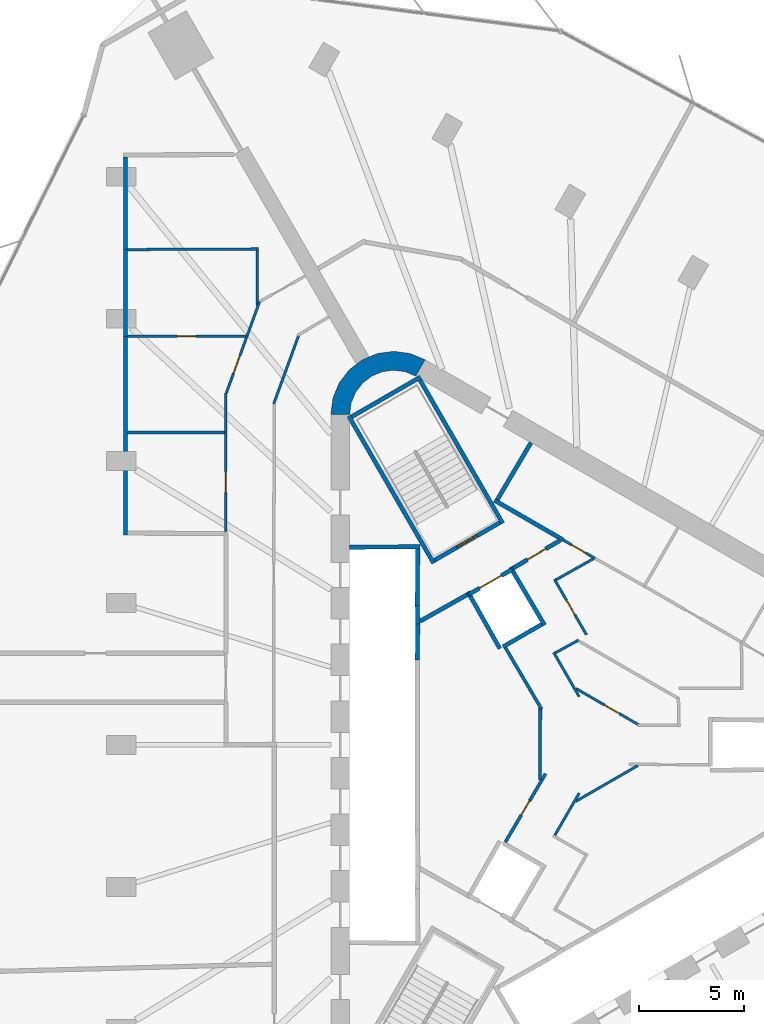
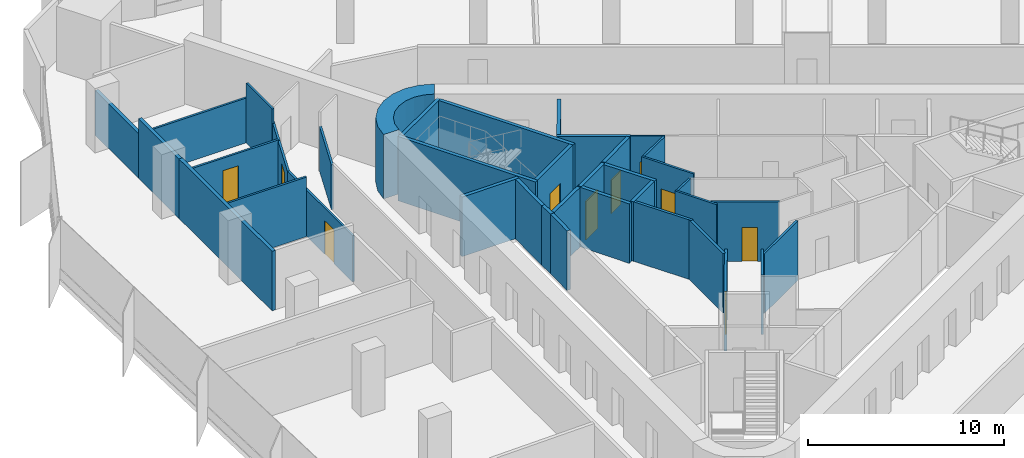
# One storey, part 10 of 14: 39 walls, 10 doors, 10 openings.
"""IFC4 building model written with IfcOpenShell, lengths in metres."""

from ifc_helpers import new_model, si_unit, direction, frame, frame_2d, origin, place, context, subcontext, project, spatial, polyline, rectangle, outline, extrude, material, layer, layer_set, type_object, element, fill, save


model = new_model("IFC4")

# Units and contexts
model_context = context("Model", 3, precision=1e-05, world=origin(), true_north=direction((0.0, 1.0)))
body_context = subcontext(model_context, "Body", "Model", "MODEL_VIEW")
ifc_project = project(units=[si_unit("LENGTHUNIT", "METRE"), si_unit("AREAUNIT", "SQUARE_METRE"), si_unit("VOLUMEUNIT", "CUBIC_METRE"), si_unit("PLANEANGLEUNIT", "RADIAN"), si_unit("MASSUNIT", "GRAM", prefix="KILO")], contexts=[model_context])

# Site, building, storey
site_placement = place(None, origin())
site = spatial("IfcSite", under=ifc_project, at=site_placement, CompositionType="ELEMENT")
building_placement = place(site_placement, origin())
building = spatial("IfcBuilding", under=site, at=building_placement, Name="Tanit Gate Tower", CompositionType="ELEMENT")
storey_placement = place(building_placement, frame((0.0, 0.0, 221.199951171875)))
storey = spatial("IfcBuildingStorey", under=building, at=storey_placement, Name="L49", CompositionType="ELEMENT", Elevation=221.199951171875)

# Walls
ifc_material_1 = material(Name="Concrete C50/60", Category="concrete")
ifc_layer_1 = layer(ifc_material_1, 0.89990234375)
ifc_layer_set_1 = layer_set([ifc_layer_1], Name="CORE WALL 900 C50/60")
wall_type_1 = type_object("IfcWallType", Name="CORE WALL 900 C50/60", PredefinedType="SHEAR", material=ifc_layer_set_1)
wall_1_placement = place(storey_placement, origin())
element("IfcWall", 1, at=wall_1_placement, inside=storey, type_object=wall_type_1, Name="CORE WALL CORNER", PredefinedType="SHEAR", context=body_context, shape_type="SweptSolid", body=[
    extrude(outline(polyline([(-7.60009765625, 18.359619140625), (-8.323486328125, 18.659423828125), (-9.10009765625, 18.76171875), (-9.87646484375, 18.659423828125), (-10.60009765625, 18.359619140625), (-11.22119140625, 17.883056640625), (-11.697998046875, 17.26171875), (-11.997802734375, 16.5380859375), (-12.10009765625, 15.76171875), (-11.199951171875, 15.76171875), (-11.12841796875, 16.30517578125), (-10.918701171875, 16.811767578125), (-10.5849609375, 17.24658203125), (-10.14990234375, 17.580322265625), (-9.6435546875, 17.7900390625), (-9.10009765625, 17.86181640625), (-8.556396484375, 17.7900390625), (-8.050048828125, 17.580322265625), (-7.60009765625, 18.359619140625)])), origin(), (0.0, 0.0, 1.0), 4.0),
])
ifc_material_2 = material(Name="Fire-rated gypsum board partition")
ifc_layer_2 = layer(ifc_material_2, 0.199951171875)
ifc_layer_set_2 = layer_set([ifc_layer_2], Name="INT-WALL-COMPARTMENT")
wall_type_2 = type_object("IfcWallType", Name="INT-WALL-COMPARTMENT", PredefinedType="PARTITIONING", material=ifc_layer_set_2)
wall_2_placement = place(storey_placement, frame((-4.295654296875, 11.659912109375, 0.0), z_axis=(0.0, 0.0, 1.0), x_axis=(0.866027389382, -0.499996560828, 0.0)))
element("IfcWall", 2, at=wall_2_placement, inside=storey, type_object=wall_type_2, Name="Wall Compartment W054", PredefinedType="PARTITIONING", context=body_context, shape_type="SweptSolid", body=[
    extrude(rectangle(XDim=3.77783203125, YDim=0.199951171875, at=frame_2d((1.888916015625, 0.0))), origin(), (0.0, 0.0, 1.0), 3.699951171875),
])
wall_3_placement = place(storey_placement, frame((-2.557861328125, 14.409423828125, 0.0), z_axis=(0.0, 0.0, 1.0), x_axis=(-0.508018930956, -0.861345903683, 0.0)))
element("IfcWall", 3, at=wall_3_placement, inside=storey, type_object=wall_type_2, Name="Wall Compartment W055", PredefinedType="PARTITIONING", context=body_context, shape_type="SweptSolid", body=[
    extrude(rectangle(XDim=3.150146484375, YDim=0.199951171875, at=frame_2d((1.5751953125, 0.0))), origin(), (0.0, 0.0, 1.0), 3.699951171875),
])
wall_4_placement = place(storey_placement, frame((-5.600341796875, 7.16015625, 0.0), z_axis=(0.0, 0.0, 1.0), x_axis=(-0.871340486379, -0.490678873396, 0.0)))
element("IfcWall", 4, at=wall_4_placement, inside=storey, type_object=wall_type_2, Name="Wall Compartment W062", PredefinedType="PARTITIONING", context=body_context, shape_type="SweptSolid", body=[
    extrude(rectangle(XDim=2.580810546875, YDim=0.199951171875, at=frame_2d((1.29052734375, 0.0))), origin(), (0.0, 0.0, 1.0), 3.699951171875),
])

# Wall, opening, door
wall_5_placement = place(storey_placement, frame((-1.1787109375, 9.744873046875, 0.0), z_axis=(0.0, 0.0, 1.0), x_axis=(-0.860630814782, -0.509229418482, 0.0)))
wall_5 = element("IfcWall", 5, at=wall_5_placement, inside=storey, type_object=wall_type_2, Name="Wall Compartment W063", PredefinedType="PARTITIONING", context=body_context, shape_type="SweptSolid", body=[
    extrude(rectangle(XDim=2.581787109375, YDim=0.199951171875, at=frame_2d((1.291015625, 0.0))), origin(), (0.0, 0.0, 1.0), 3.699951171875),
])
opening_1_placement = place(wall_5_placement, frame((0.791015625, 0.0, 0.0)))
opening_1 = element("IfcOpeningElement", 6, at=opening_1_placement, cuts=wall_5, Name="Opening F10-S13-05", PredefinedType="OPENING", context=body_context, shape_type="SweptSolid", body=[
    extrude(rectangle(XDim=1.0, YDim=2.10009765625, at=frame_2d((0.5, 1.050048828125))), frame((0.0, 0.10986328125, 0.0), z_axis=(0.0, -1.0, 0.0), x_axis=(1.0, 0.0, 0.0)), (0.0, 0.0, 1.0), 0.219970703125),
])
ifc_material_3 = material(Name="Fire-rated steel door leaf", Category="steel")
door_type_1 = type_object("IfcDoorType", Name="INT-DOOR-FIRE-1000", OperationType="NOTDEFINED", PredefinedType="USERDEFINED", material=ifc_material_3)
door_1_placement = place(opening_1_placement, origin())
door_1 = element("IfcDoor", 7, at=door_1_placement, inside=storey, type_object=door_type_1, Name="Door F10-S13-05", ObjectType="FIRE DOOR", OperationType="SINGLE_SWING_RIGHT", OverallHeight=2.10009765625, OverallWidth=1.0, PredefinedType="USERDEFINED", context=body_context, shape_type="SweptSolid", body=[
    extrude(rectangle(XDim=1.0, YDim=2.10009765625, at=frame_2d((0.5, 1.050048828125))), frame((0.0, 0.02490234375, 0.0), z_axis=(0.0, -1.0, 0.0), x_axis=(1.0, 0.0, 0.0)), (0.0, 0.0, 1.0), 0.050048828125),
])
fill(opening_1, door_1)

# Walls
wall_6_placement = place(storey_placement, frame((-21.889892578125, 10.0, 0.0), z_axis=(0.0, 0.0, 1.0), x_axis=(0.0, 1.0, 0.0)))
element("IfcWall", 8, at=wall_6_placement, inside=storey, type_object=wall_type_2, Name="Wall Compartment W123", PredefinedType="PARTITIONING", context=body_context, shape_type="SweptSolid", body=[
    extrude(rectangle(XDim=9.478271484375, YDim=0.199951171875, at=frame_2d((4.7392578125, 0.0))), origin(), (0.0, 0.0, 1.0), 3.699951171875),
])
wall_7_placement = place(storey_placement, frame((-21.889892578125, 19.478271484375, 0.0), z_axis=(0.0, 0.0, 1.0), x_axis=(0.0, 1.0, 0.0)))
element("IfcWall", 9, at=wall_7_placement, inside=storey, type_object=wall_type_2, Name="Wall Compartment W126", PredefinedType="PARTITIONING", context=body_context, shape_type="SweptSolid", body=[
    extrude(rectangle(XDim=4.133544921875, YDim=0.199951171875, at=frame_2d((2.06689453125, 0.0))), origin(), (0.0, 0.0, 1.0), 3.699951171875),
])
wall_8_placement = place(storey_placement, frame((-21.889892578125, 23.61181640625, 0.0), z_axis=(0.0, 0.0, 1.0), x_axis=(0.0, 1.0, 0.0)))
element("IfcWall", 10, at=wall_8_placement, inside=storey, type_object=wall_type_2, Name="Wall Compartment W128", PredefinedType="PARTITIONING", context=body_context, shape_type="SweptSolid", body=[
    extrude(rectangle(XDim=4.408203125, YDim=0.199951171875, at=frame_2d((2.2041015625, 0.0))), origin(), (0.0, 0.0, 1.0), 2.780029296875),
])

# Wall, opening, door
ifc_material_4 = material(Name="Gypsum board partition")
ifc_layer_3 = layer(ifc_material_4, 0.1201171875)
ifc_layer_set_3 = layer_set([ifc_layer_3], Name="INT-WALL-PARTITION")
wall_type_3 = type_object("IfcWallType", Name="INT-WALL-PARTITION", PredefinedType="PARTITIONING", material=ifc_layer_set_3)
wall_9_placement = place(storey_placement, frame((-1.02392578125, 9.77099609375, 0.0), z_axis=(0.0, 0.0, 1.0), x_axis=(0.866039397417, -0.499975761534, 0.0)))
wall_9 = element("IfcWall", 11, at=wall_9_placement, inside=storey, type_object=wall_type_3, Name="Wall Partition W057", PredefinedType="PARTITIONING", context=body_context, shape_type="SweptSolid", body=[
    extrude(rectangle(XDim=1.751953125, YDim=0.1201171875, at=frame_2d((0.8759765625, 0.0))), origin(), (0.0, 0.0, 1.0), 3.699951171875),
])
opening_2_placement = place(wall_9_placement, frame((0.4658203125, 0.0, 0.0)))
opening_2 = element("IfcOpeningElement", 12, at=opening_2_placement, cuts=wall_9, Name="Opening R08-S13-16", PredefinedType="OPENING", context=body_context, shape_type="SweptSolid", body=[
    extrude(rectangle(XDim=0.800048828125, YDim=2.10009765625, at=frame_2d((0.39990234375, 1.050048828125))), frame((0.0, 0.070068359375, 0.0), z_axis=(0.0, -1.0, 0.0), x_axis=(1.0, 0.0, 0.0)), (0.0, 0.0, 1.0), 0.14013671875),
])
ifc_material_5 = material(Name="Timber door leaf", Category="wood")
door_type_2 = type_object("IfcDoorType", Name="INT-DOOR-RISER-800", OperationType="NOTDEFINED", PredefinedType="USERDEFINED", material=ifc_material_5)
door_2_placement = place(opening_2_placement, origin())
door_2 = element("IfcDoor", 13, at=door_2_placement, inside=storey, type_object=door_type_2, Name="Door R08-S13-16", ObjectType="FIRE DOOR", OperationType="SINGLE_SWING_LEFT", OverallHeight=2.10009765625, OverallWidth=0.800048828125, PredefinedType="USERDEFINED", context=body_context, shape_type="SweptSolid", body=[
    extrude(rectangle(XDim=0.800048828125, YDim=2.10009765625, at=frame_2d((0.39990234375, 1.050048828125))), frame((0.0, 0.02490234375, 0.0), z_axis=(0.0, -1.0, 0.0), x_axis=(1.0, 0.0, 0.0)), (0.0, 0.0, 1.0), 0.050048828125),
])
fill(opening_2, door_2)

# Walls
wall_10_placement = place(storey_placement, frame((-0.259765625, -2.300048828125, 0.0), z_axis=(0.0, 0.0, 1.0), x_axis=(-0.500035443578, -0.866004939458, 0.0)))
element("IfcWall", 14, at=wall_10_placement, inside=storey, type_object=wall_type_3, Name="Wall Partition W072", PredefinedType="PARTITIONING", context=body_context, shape_type="SweptSolid", body=[
    extrude(rectangle(XDim=2.318115234375, YDim=0.1201171875, at=frame_2d((1.1591796875, 0.0))), origin(), (0.0, 0.0, 1.0), 3.699951171875),
])
wall_11_placement = place(storey_placement, frame((2.531982421875, -0.988037109375, 0.0), z_axis=(0.0, 0.0, 1.0), x_axis=(-0.866023141178, -0.500003918929, 0.0)))
element("IfcWall", 15, at=wall_11_placement, inside=storey, type_object=wall_type_3, Name="Wall Partition W073", PredefinedType="PARTITIONING", context=body_context, shape_type="SweptSolid", body=[
    extrude(rectangle(XDim=3.40380859375, YDim=0.1201171875, at=frame_2d((1.701904296875, 0.0))), origin(), (0.0, 0.0, 1.0), 3.699951171875),
])

# Wall, opening, door
wall_12_placement = place(storey_placement, frame((-0.416259765625, 2.69091796875, 0.0), z_axis=(0.0, 0.0, 1.0), x_axis=(0.865413570885, -0.501058231473, 0.0)))
wall_12 = element("IfcWall", 16, at=wall_12_placement, inside=storey, type_object=wall_type_3, Name="Wall Partition W078", PredefinedType="PARTITIONING", context=body_context, shape_type="SweptSolid", body=[
    extrude(rectangle(XDim=3.505859375, YDim=0.1201171875, at=frame_2d((1.7529296875, 0.0))), origin(), (0.0, 0.0, 1.0), 3.699951171875),
])
opening_3_placement = place(wall_12_placement, frame((1.593505859375, 0.0, 0.0)))
opening_3 = element("IfcOpeningElement", 17, at=opening_3_placement, cuts=wall_12, Name="Opening R08-S13-12", PredefinedType="OPENING", context=body_context, shape_type="SweptSolid", body=[
    extrude(rectangle(XDim=0.800048828125, YDim=2.10009765625, at=frame_2d((0.39990234375, 1.050048828125))), frame((0.0, 0.070068359375, 0.0), z_axis=(0.0, -1.0, 0.0), x_axis=(1.0, 0.0, 0.0)), (0.0, 0.0, 1.0), 0.14013671875),
])
door_3_placement = place(opening_3_placement, origin())
door_3 = element("IfcDoor", 18, at=door_3_placement, inside=storey, type_object=door_type_2, Name="Door R08-S13-12", ObjectType="FIRE DOOR", OperationType="SINGLE_SWING_RIGHT", OverallHeight=2.10009765625, OverallWidth=0.800048828125, PredefinedType="USERDEFINED", context=body_context, shape_type="SweptSolid", body=[
    extrude(rectangle(XDim=0.800048828125, YDim=2.10009765625, at=frame_2d((0.39990234375, 1.050048828125))), frame((0.0, 0.02490234375, 0.0), z_axis=(0.0, -1.0, 0.0), x_axis=(1.0, 0.0, 0.0)), (0.0, 0.0, 1.0), 0.050048828125),
])
fill(opening_3, door_3)

# Walls
wall_13_placement = place(storey_placement, frame((-1.47900390625, 4.41162109375, 0.0), z_axis=(0.0, 0.0, 1.0), x_axis=(0.50003736129, -0.866003832159, 0.0)))
element("IfcWall", 19, at=wall_13_placement, inside=storey, type_object=wall_type_3, Name="Wall Partition W079", PredefinedType="PARTITIONING", context=body_context, shape_type="SweptSolid", body=[
    extrude(rectangle(XDim=2.438232421875, YDim=0.1201171875, at=frame_2d((1.21923828125, 0.0))), origin(), (0.0, 0.0, 1.0), 3.699951171875),
])
wall_14_placement = place(storey_placement, frame((-0.295166015625, 4.99169921875, 0.0), z_axis=(0.0, 0.0, 1.0), x_axis=(-0.87699482268, -0.480499824134, 0.0)))
element("IfcWall", 20, at=wall_14_placement, inside=storey, type_object=wall_type_3, Name="Wall Partition W080", PredefinedType="PARTITIONING", context=body_context, shape_type="SweptSolid", body=[
    extrude(rectangle(XDim=1.255615234375, YDim=0.1201171875, at=frame_2d((0.6279296875, 0.0))), origin(), (0.0, 0.0, 1.0), 3.699951171875),
])

# Wall, opening, door
wall_15_placement = place(storey_placement, frame((-1.441650390625, 7.897216796875, 0.0), z_axis=(0.0, 0.0, 1.0), x_axis=(0.499991792115, -0.866030142557, 0.0)))
wall_15 = element("IfcWall", 21, at=wall_15_placement, inside=storey, type_object=wall_type_3, Name="Wall Partition W081", PredefinedType="PARTITIONING", context=body_context, shape_type="SweptSolid", body=[
    extrude(rectangle(XDim=3.06005859375, YDim=0.1201171875, at=frame_2d((1.530029296875, 0.0))), origin(), (0.0, 0.0, 1.0), 3.699951171875),
])
opening_4_placement = place(wall_15_placement, frame((1.159912109375, 0.0, 0.0)))
opening_4 = element("IfcOpeningElement", 22, at=opening_4_placement, cuts=wall_15, Name="Opening R08-S13-13", PredefinedType="OPENING", context=body_context, shape_type="SweptSolid", body=[
    extrude(rectangle(XDim=0.800048828125, YDim=2.10009765625, at=frame_2d((0.39990234375, 1.050048828125))), frame((0.0, 0.070068359375, 0.0), z_axis=(0.0, -1.0, 0.0), x_axis=(1.0, 0.0, 0.0)), (0.0, 0.0, 1.0), 0.14013671875),
])
door_4_placement = place(opening_4_placement, origin())
door_4 = element("IfcDoor", 23, at=door_4_placement, inside=storey, type_object=door_type_2, Name="Door R08-S13-13", ObjectType="FIRE DOOR", OperationType="SINGLE_SWING_RIGHT", OverallHeight=2.10009765625, OverallWidth=0.800048828125, PredefinedType="USERDEFINED", context=body_context, shape_type="SweptSolid", body=[
    extrude(rectangle(XDim=0.800048828125, YDim=2.10009765625, at=frame_2d((0.39990234375, 1.050048828125))), frame((0.0, 0.02490234375, 0.0), z_axis=(0.0, -1.0, 0.0), x_axis=(1.0, 0.0, 0.0)), (0.0, 0.0, 1.0), 0.050048828125),
])
fill(opening_4, door_4)

# Walls
wall_16_placement = place(storey_placement, frame((0.414306640625, 8.87109375, 0.0), z_axis=(0.0, 0.0, 1.0), x_axis=(-0.871809386997, -0.48984527429, 0.0)))
element("IfcWall", 24, at=wall_16_placement, inside=storey, type_object=wall_type_3, Name="Wall Partition W082", PredefinedType="PARTITIONING", context=body_context, shape_type="SweptSolid", body=[
    extrude(rectangle(XDim=2.034423828125, YDim=0.1201171875, at=frame_2d((1.01708984375, 0.0))), origin(), (0.0, 0.0, 1.0), 3.699951171875),
])
wall_17_placement = place(storey_placement, frame((-13.630615234375, 19.529541015625, 0.0), z_axis=(0.0, 0.0, 1.0), x_axis=(-0.342069878069, -0.939674517329, 0.0)))
element("IfcWall", 25, at=wall_17_placement, inside=storey, type_object=wall_type_3, Name="Wall Partition W086", PredefinedType="PARTITIONING", context=body_context, shape_type="SweptSolid", body=[
    extrude(rectangle(XDim=3.478759765625, YDim=0.1201171875, at=frame_2d((1.7392578125, 0.0))), origin(), (0.0, 0.0, 1.0), 2.780029296875),
])

# Wall, opening, door
wall_18_placement = place(storey_placement, frame((-17.10009765625, 16.78271484375, 0.0), z_axis=(0.0, 0.0, 1.0), x_axis=(0.0, -1.0, 0.0)))
wall_18 = element("IfcWall", 26, at=wall_18_placement, inside=storey, type_object=wall_type_3, Name="Wall Partition W093", PredefinedType="PARTITIONING", context=body_context, shape_type="SweptSolid", body=[
    extrude(rectangle(XDim=6.61279296875, YDim=0.1201171875, at=frame_2d((3.306396484375, 0.0))), origin(), (0.0, 0.0, 1.0), 2.880126953125),
])
opening_5_placement = place(wall_18_placement, frame((3.75146484375, 0.0, 0.0)))
opening_5 = element("IfcOpeningElement", 27, at=opening_5_placement, cuts=wall_18, Name="Opening D10-S13-22", PredefinedType="OPENING", context=body_context, shape_type="SweptSolid", body=[
    extrude(rectangle(XDim=1.0, YDim=2.10009765625, at=frame_2d((0.5, 1.050048828125))), frame((0.0, 0.070068359375, 0.0), z_axis=(0.0, -1.0, 0.0), x_axis=(1.0, 0.0, 0.0)), (0.0, 0.0, 1.0), 0.14013671875),
])
ifc_material_6 = material(Name="Timber door leaf", Category="wood")
door_type_3 = type_object("IfcDoorType", Name="INT-DOOR-SINGLE-1000", OperationType="NOTDEFINED", PredefinedType="NOTDEFINED", material=ifc_material_6)
door_5_placement = place(opening_5_placement, origin())
door_5 = element("IfcDoor", 28, at=door_5_placement, inside=storey, type_object=door_type_3, Name="Door D10-S13-22", OperationType="SINGLE_SWING_LEFT", OverallHeight=2.10009765625, OverallWidth=1.0, PredefinedType="NOTDEFINED", context=body_context, shape_type="SweptSolid", body=[
    extrude(rectangle(XDim=1.0, YDim=2.10009765625, at=frame_2d((0.5, 1.050048828125))), frame((0.0, 0.02490234375, 0.0), z_axis=(0.0, -1.0, 0.0), x_axis=(1.0, 0.0, 0.0)), (0.0, 0.0, 1.0), 0.050048828125),
])
fill(opening_5, door_5)

# Wall
wall_19_placement = place(storey_placement, frame((-15.496337890625, 21.12890625, 0.0), z_axis=(0.0, 0.0, 1.0), x_axis=(-0.342023613346, -0.939691357795, 0.0)))
element("IfcWall", 29, at=wall_19_placement, inside=storey, type_object=wall_type_3, Name="Wall Partition W095", PredefinedType="PARTITIONING", context=body_context, shape_type="SweptSolid", body=[
    extrude(rectangle(XDim=1.74658203125, YDim=0.1201171875, at=frame_2d((0.873291015625, 0.0))), origin(), (0.0, 0.0, 1.0), 2.780029296875),
])

# Wall, opening, door
wall_20_placement = place(storey_placement, frame((-16.09375, 19.487548828125, 0.0), z_axis=(0.0, 0.0, 1.0), x_axis=(-0.342028686382, -0.939689511324, 0.0)))
wall_20 = element("IfcWall", 30, at=wall_20_placement, inside=storey, type_object=wall_type_3, Name="Wall Partition W094", PredefinedType="PARTITIONING", context=body_context, shape_type="SweptSolid", body=[
    extrude(rectangle(XDim=2.88232421875, YDim=0.1201171875, at=frame_2d((1.441162109375, 0.0))), origin(), (0.0, 0.0, 1.0), 2.780029296875),
])
opening_6_placement = place(wall_20_placement, frame((0.9912109375, 0.0, 0.0)))
opening_6 = element("IfcOpeningElement", 31, at=opening_6_placement, cuts=wall_20, Name="Opening D09-S13-23", PredefinedType="OPENING", context=body_context, shape_type="SweptSolid", body=[
    extrude(rectangle(XDim=0.89990234375, YDim=2.10009765625, at=frame_2d((0.449951171875, 1.050048828125))), frame((0.0, 0.070068359375, 0.0), z_axis=(0.0, -1.0, 0.0), x_axis=(1.0, 0.0, 0.0)), (0.0, 0.0, 1.0), 0.14013671875),
])
ifc_material_7 = material(Name="Timber door leaf", Category="wood")
door_type_4 = type_object("IfcDoorType", Name="INT-DOOR-SINGLE-900", OperationType="NOTDEFINED", PredefinedType="NOTDEFINED", material=ifc_material_7)
door_6_placement = place(opening_6_placement, origin())
door_6 = element("IfcDoor", 32, at=door_6_placement, inside=storey, type_object=door_type_4, Name="Door D09-S13-23", OperationType="SINGLE_SWING_LEFT", OverallHeight=2.10009765625, OverallWidth=0.89990234375, PredefinedType="NOTDEFINED", context=body_context, shape_type="SweptSolid", body=[
    extrude(rectangle(XDim=0.89990234375, YDim=2.10009765625, at=frame_2d((0.449951171875, 1.050048828125))), frame((0.0, 0.02490234375, 0.0), z_axis=(0.0, -1.0, 0.0), x_axis=(1.0, 0.0, 0.0)), (0.0, 0.0, 1.0), 0.050048828125),
])
fill(opening_6, door_6)

# Wall
wall_21_placement = place(storey_placement, frame((-21.7900390625, 14.892333984375, 0.0), z_axis=(0.0, 0.0, 1.0), x_axis=(1.0, 0.0, 0.0)))
element("IfcWall", 33, at=wall_21_placement, inside=storey, type_object=wall_type_3, Name="Wall Partition W136", PredefinedType="PARTITIONING", context=body_context, shape_type="SweptSolid", body=[
    extrude(rectangle(XDim=4.630126953125, YDim=0.1201171875, at=frame_2d((2.31494140625, 0.0))), origin(), (0.0, 0.0, 1.0), 3.699951171875),
])

# Wall, opening, door
wall_22_placement = place(storey_placement, frame((-21.7900390625, 19.478271484375, 0.0), z_axis=(0.0, 0.0, 1.0), x_axis=(1.0, 0.0, 0.0)))
wall_22 = element("IfcWall", 34, at=wall_22_placement, inside=storey, type_object=wall_type_3, Name="Wall Partition W137", PredefinedType="PARTITIONING", context=body_context, shape_type="SweptSolid", body=[
    extrude(rectangle(XDim=5.629150390625, YDim=0.1201171875, at=frame_2d((2.814453125, 0.0))), origin(), (0.0, 0.0, 1.0), 2.880126953125),
])
opening_7_placement = place(wall_22_placement, frame((2.364501953125, 0.0, 0.0)))
opening_7 = element("IfcOpeningElement", 35, at=opening_7_placement, cuts=wall_22, Name="Opening D09-S13-24", PredefinedType="OPENING", context=body_context, shape_type="SweptSolid", body=[
    extrude(rectangle(XDim=0.89990234375, YDim=2.10009765625, at=frame_2d((0.449951171875, 1.050048828125))), frame((0.0, 0.070068359375, 0.0), z_axis=(0.0, -1.0, 0.0), x_axis=(1.0, 0.0, 0.0)), (0.0, 0.0, 1.0), 0.14013671875),
])
door_7_placement = place(opening_7_placement, origin())
door_7 = element("IfcDoor", 36, at=door_7_placement, inside=storey, type_object=door_type_4, Name="Door D09-S13-24", OperationType="SINGLE_SWING_LEFT", OverallHeight=2.10009765625, OverallWidth=0.89990234375, PredefinedType="NOTDEFINED", context=body_context, shape_type="SweptSolid", body=[
    extrude(rectangle(XDim=0.89990234375, YDim=2.10009765625, at=frame_2d((0.449951171875, 1.050048828125))), frame((0.0, 0.02490234375, 0.0), z_axis=(0.0, -1.0, 0.0), x_axis=(1.0, 0.0, 0.0)), (0.0, 0.0, 1.0), 0.050048828125),
])
fill(opening_7, door_7)

# Walls
wall_23_placement = place(storey_placement, frame((-21.7900390625, 23.6123046875, 0.0), z_axis=(0.0, 0.0, 1.0), x_axis=(0.999988644603, 0.004765570884, 0.0)))
element("IfcWall", 37, at=wall_23_placement, inside=storey, type_object=wall_type_3, Name="Wall Partition W138", PredefinedType="PARTITIONING", context=body_context, shape_type="SweptSolid", body=[
    extrude(rectangle(XDim=6.25, YDim=0.1201171875, at=frame_2d((3.125, 0.0))), origin(), (0.0, 0.0, 1.0), 2.780029296875),
])
wall_24_placement = place(storey_placement, frame((-15.60498046875, 20.93896484375, 0.0), z_axis=(0.0, 0.0, 1.0), x_axis=(0.001847571904, 0.999998293238, 0.0)))
element("IfcWall", 38, at=wall_24_placement, inside=storey, type_object=wall_type_3, Name="Wall Partition W139", PredefinedType="PARTITIONING", context=body_context, shape_type="SweptSolid", body=[
    extrude(rectangle(XDim=2.642822265625, YDim=0.1201171875, at=frame_2d((1.3212890625, 0.0))), origin(), (0.0, 0.0, 1.0), 3.699951171875),
])
ifc_material_8 = material(Name="Fire-rated gypsum board partition")
ifc_layer_4 = layer(ifc_material_8, 0.14990234375)
ifc_layer_set_4 = layer_set([ifc_layer_4], Name="INT-WALL-RISER")
wall_type_4 = type_object("IfcWallType", Name="INT-WALL-RISER", PredefinedType="PLUMBINGWALL", material=ifc_layer_set_4)
wall_25_placement = place(storey_placement, frame((-2.053466796875, 1.708984375, 0.0), z_axis=(0.0, 0.0, 1.0), x_axis=(-0.507570243425, 0.861610380618, 0.0)))
element("IfcWall", 39, at=wall_25_placement, inside=storey, type_object=wall_type_4, Name="Wall Riser W066", PredefinedType="PLUMBINGWALL", context=body_context, shape_type="SweptSolid", body=[
    extrude(rectangle(XDim=3.3935546875, YDim=0.14990234375, at=frame_2d((1.69677734375, 0.0))), origin(), (0.0, 0.0, 1.0), 3.699951171875),
])
wall_26_placement = place(storey_placement, frame((-2.122314453125, -1.670166015625, 0.0), z_axis=(0.0, 0.0, 1.0), x_axis=(0.00126831916, 0.999999195683, 0.0)))
element("IfcWall", 40, at=wall_26_placement, inside=storey, type_object=wall_type_4, Name="Wall Riser W067", PredefinedType="PLUMBINGWALL", context=body_context, shape_type="SweptSolid", body=[
    extrude(rectangle(XDim=3.46484375, YDim=0.14990234375, at=frame_2d((1.732421875, 0.0))), origin(), (0.0, 0.0, 1.0), 3.699951171875),
])

# Wall, opening, door
wall_27_placement = place(storey_placement, frame((-3.77587890625, -4.632568359375, 0.0), z_axis=(0.0, 0.0, 1.0), x_axis=(0.506548448152, 0.862211499387, 0.0)))
wall_27 = element("IfcWall", 41, at=wall_27_placement, inside=storey, type_object=wall_type_4, Name="Wall Riser W068", PredefinedType="PLUMBINGWALL", context=body_context, shape_type="SweptSolid", body=[
    extrude(rectangle(XDim=3.778076171875, YDim=0.14990234375, at=frame_2d((1.88916015625, 0.0))), origin(), (0.0, 0.0, 1.0), 3.699951171875),
])
opening_8_placement = place(wall_27_placement, frame((1.4892578125, 0.0, 0.0)))
opening_8 = element("IfcOpeningElement", 42, at=opening_8_placement, cuts=wall_27, Name="Opening R08-S13-10", PredefinedType="OPENING", context=body_context, shape_type="SweptSolid", body=[
    extrude(rectangle(XDim=0.800048828125, YDim=2.10009765625, at=frame_2d((0.39990234375, 1.050048828125))), frame((0.0, 0.0849609375, 0.0), z_axis=(0.0, -1.0, 0.0), x_axis=(1.0, 0.0, 0.0)), (0.0, 0.0, 1.0), 0.169921875),
])
door_8_placement = place(opening_8_placement, origin())
door_8 = element("IfcDoor", 43, at=door_8_placement, inside=storey, type_object=door_type_2, Name="Door R08-S13-10", ObjectType="FIRE DOOR", OperationType="SINGLE_SWING_RIGHT", OverallHeight=2.10009765625, OverallWidth=0.800048828125, PredefinedType="USERDEFINED", context=body_context, shape_type="SweptSolid", body=[
    extrude(rectangle(XDim=0.800048828125, YDim=2.10009765625, at=frame_2d((0.39990234375, 1.050048828125))), frame((0.0, 0.02490234375, 0.0), z_axis=(0.0, -1.0, 0.0), x_axis=(1.0, 0.0, 0.0)), (0.0, 0.0, 1.0), 0.050048828125),
])
fill(opening_8, door_8)

# Walls
ifc_material_9 = material(Name="Gypsum shaft wall system")
ifc_layer_5 = layer(ifc_material_9, 0.199951171875)
ifc_layer_set_5 = layer_set([ifc_layer_5], Name="INT-WALL-SHAFT")
wall_type_5 = type_object("IfcWallType", Name="INT-WALL-SHAFT", PredefinedType="PLUMBINGWALL", material=ifc_layer_set_5)
wall_28_placement = place(storey_placement, frame((-11.199951171875, 9.419921875, 0.0), z_axis=(0.0, 0.0, 1.0), x_axis=(0.999957167047, 0.009255488683, 0.0)))
element("IfcWall", 44, at=wall_28_placement, inside=storey, type_object=wall_type_5, Name="Wall Shaft W001", PredefinedType="PLUMBINGWALL", context=body_context, shape_type="SweptSolid", body=[
    extrude(rectangle(XDim=3.35009765625, YDim=0.199951171875, at=frame_2d((1.675048828125, 0.0))), origin(), (0.0, 0.0, 1.0), 3.699951171875),
])
wall_29_placement = place(storey_placement, frame((-7.951171875, 9.35009765625, 0.0), z_axis=(0.0, 0.0, 1.0), x_axis=(-0.011120469654, -0.999938165666, 0.0)))
element("IfcWall", 45, at=wall_29_placement, inside=storey, type_object=wall_type_5, Name="Wall Shaft W002", PredefinedType="PLUMBINGWALL", context=body_context, shape_type="SweptSolid", body=[
    extrude(rectangle(XDim=2.700439453125, YDim=0.199951171875, at=frame_2d((1.35009765625, 0.0))), origin(), (0.0, 0.0, 1.0), 3.699951171875),
])
wall_30_placement = place(storey_placement, frame((-7.97705078125, 6.650146484375, 0.0), z_axis=(0.0, 0.0, 1.0), x_axis=(0.030861509705, -0.999523670164, 0.0)))
element("IfcWall", 46, at=wall_30_placement, inside=storey, type_object=wall_type_5, Name="Wall Shaft W003", PredefinedType="PLUMBINGWALL", context=body_context, shape_type="SweptSolid", body=[
    extrude(rectangle(XDim=0.878173828125, YDim=0.199951171875, at=frame_2d((0.43896484375, 0.0))), origin(), (0.0, 0.0, 1.0), 3.699951171875),
])
wall_31_placement = place(storey_placement, frame((-7.948974609375, 5.894287109375, 0.0), z_axis=(0.0, 0.0, 1.0), x_axis=(-0.016809909365, -0.999858703491, 0.0)))
element("IfcWall", 47, at=wall_31_placement, inside=storey, type_object=wall_type_5, Name="Wall Shaft W004", PredefinedType="PLUMBINGWALL", context=body_context, shape_type="SweptSolid", body=[
    extrude(rectangle(XDim=1.844482421875, YDim=0.199951171875, at=frame_2d((0.92236328125, 0.0))), origin(), (0.0, 0.0, 1.0), 3.699951171875),
])

# Wall, opening, door
wall_32_placement = place(storey_placement, frame((-5.524169921875, 7.168212890625, 0.0), z_axis=(0.0, 0.0, 1.0), x_axis=(0.866024647952, 0.500001309137, 0.0)))
wall_32 = element("IfcWall", 48, at=wall_32_placement, inside=storey, type_object=wall_type_5, Name="Wall Shaft W037", PredefinedType="PLUMBINGWALL", context=body_context, shape_type="SweptSolid", body=[
    extrude(rectangle(XDim=2.39990234375, YDim=0.199951171875, at=frame_2d((1.199951171875, 0.0))), origin(), (0.0, 0.0, 1.0), 3.699951171875),
])
opening_9_placement = place(wall_32_placement, frame((0.60009765625, 0.0, 0.0)))
opening_9 = element("IfcOpeningElement", 49, at=opening_9_placement, cuts=wall_32, Name="Opening LDFL2-L49", PredefinedType="OPENING", context=body_context, shape_type="SweptSolid", body=[
    extrude(rectangle(XDim=1.199951171875, YDim=2.39990234375, at=frame_2d((0.60009765625, 1.199951171875))), frame((0.0, 0.10986328125, 0.0), z_axis=(0.0, -1.0, 0.0), x_axis=(1.0, 0.0, 0.0)), (0.0, 0.0, 1.0), 0.219970703125),
])
ifc_material_10 = material(Name="Stainless steel sliding door leaf", Category="steel")
door_type_5 = type_object("IfcDoorType", Name="INT-DOOR-LANDING-1200", OperationType="NOTDEFINED", PredefinedType="USERDEFINED", material=ifc_material_10)
door_9_placement = place(opening_9_placement, origin())
door_9 = element("IfcDoor", 50, at=door_9_placement, inside=storey, type_object=door_type_5, Name="Door LDFL2-L49", ObjectType="LANDING DOOR", OperationType="SLIDING_TO_LEFT", OverallHeight=2.39990234375, OverallWidth=1.199951171875, PredefinedType="USERDEFINED", context=body_context, shape_type="SweptSolid", body=[
    extrude(rectangle(XDim=1.199951171875, YDim=2.39990234375, at=frame_2d((0.60009765625, 1.199951171875))), frame((0.0, 0.02490234375, 0.0), z_axis=(0.0, -1.0, 0.0), x_axis=(1.0, 0.0, 0.0)), (0.0, 0.0, 1.0), 0.050048828125),
])
fill(opening_9, door_9)

# Walls
wall_33_placement = place(storey_placement, frame((-4.039306640625, 4.59619140625, 0.0), z_axis=(0.0, 0.0, 1.0), x_axis=(-0.491322718731, 0.870977603649, 0.0)))
element("IfcWall", 51, at=wall_33_placement, inside=storey, type_object=wall_type_5, Name="Wall Shaft W038", PredefinedType="PLUMBINGWALL", context=body_context, shape_type="SweptSolid", body=[
    extrude(rectangle(XDim=3.10009765625, YDim=0.199951171875, at=frame_2d((1.550048828125, 0.0))), origin(), (0.0, 0.0, 1.0), 3.699951171875),
])
wall_34_placement = place(storey_placement, frame((-3.53759765625, 8.46533203125, 0.0), z_axis=(0.0, 0.0, 1.0), x_axis=(0.508616218331, -0.860993346345, 0.0)))
element("IfcWall", 52, at=wall_34_placement, inside=storey, type_object=wall_type_5, Name="Wall Shaft W039", PredefinedType="PLUMBINGWALL", context=body_context, shape_type="SweptSolid", body=[
    extrude(rectangle(XDim=3.2001953125, YDim=0.199951171875, at=frame_2d((1.60009765625, 0.0))), origin(), (0.0, 0.0, 1.0), 3.699951171875),
])
wall_35_placement = place(storey_placement, frame((-2.04736328125, 5.74609375, 0.0), z_axis=(0.0, 0.0, 1.0), x_axis=(-0.866040491692, -0.499973866067, 0.0)))
element("IfcWall", 53, at=wall_35_placement, inside=storey, type_object=wall_type_5, Name="Wall Shaft W040", PredefinedType="PLUMBINGWALL", context=body_context, shape_type="SweptSolid", body=[
    extrude(rectangle(XDim=2.12939453125, YDim=0.199951171875, at=frame_2d((1.064697265625, 0.0))), origin(), (0.0, 0.0, 1.0), 3.699951171875),
])
ifc_material_11 = material(Name="Concrete C40/50", Category="concrete")
ifc_layer_6 = layer(ifc_material_11, 0.199951171875)
ifc_layer_set_6 = layer_set([ifc_layer_6], Name="INT-WALL-STAIR")
wall_type_6 = type_object("IfcWallType", Name="INT-WALL-STAIR", PredefinedType="SHEAR", material=ifc_layer_set_6)
wall_36_placement = place(storey_placement, frame((-11.245361328125, 15.677734375, -0.300048828125), z_axis=(0.0, 0.0, 1.0), x_axis=(0.499977274689, -0.866038523851, 0.0)))
element("IfcWall", 54, at=wall_36_placement, inside=storey, type_object=wall_type_6, Name="Wall Stair W033", PredefinedType="SHEAR", context=body_context, shape_type="SweptSolid", body=[
    extrude(rectangle(XDim=8.10009765625, YDim=0.199951171875, at=frame_2d((4.050048828125, 0.0))), origin(), (0.0, 0.0, 1.0), 4.0),
])
wall_37_placement = place(storey_placement, frame((-7.81787109375, 17.541015625, -0.300048828125), z_axis=(0.0, 0.0, 1.0), x_axis=(-0.866044365799, -0.499967155389, 0.0)))
element("IfcWall", 55, at=wall_37_placement, inside=storey, type_object=wall_type_6, Name="Wall Stair W034", PredefinedType="SHEAR", context=body_context, shape_type="SweptSolid", body=[
    extrude(rectangle(XDim=3.800048828125, YDim=0.199951171875, at=frame_2d((1.89990234375, 0.0))), origin(), (0.0, 0.0, 1.0), 4.0),
])
wall_38_placement = place(storey_placement, frame((-7.8544921875, 17.404541015625, -0.300048828125), z_axis=(0.0, 0.0, 1.0), x_axis=(0.499997992926, -0.866026562566, 0.0)))
element("IfcWall", 56, at=wall_38_placement, inside=storey, type_object=wall_type_6, Name="Wall Stair W035", PredefinedType="SHEAR", context=body_context, shape_type="SweptSolid", body=[
    extrude(rectangle(XDim=7.89990234375, YDim=0.199951171875, at=frame_2d((3.949951171875, 0.0))), origin(), (0.0, 0.0, 1.0), 4.0),
])

# Wall, opening, door
wall_39_placement = place(storey_placement, frame((-7.158935546875, 8.799560546875, -0.300048828125), z_axis=(0.0, 0.0, 1.0), x_axis=(0.866047807691, 0.499961193289, 0.0)))
wall_39 = element("IfcWall", 57, at=wall_39_placement, inside=storey, type_object=wall_type_6, Name="Wall Stair W036", PredefinedType="SHEAR", context=body_context, shape_type="SweptSolid", body=[
    extrude(rectangle(XDim=3.599853515625, YDim=0.199951171875, at=frame_2d((1.7998046875, 0.0))), origin(), (0.0, 0.0, 1.0), 4.0),
])
opening_10_placement = place(wall_39_placement, frame((1.25, 0.0, 0.300048828125)))
opening_10 = element("IfcOpeningElement", 58, at=opening_10_placement, cuts=wall_39, Name="Opening S11-S13-04", PredefinedType="OPENING", context=body_context, shape_type="SweptSolid", body=[
    extrude(rectangle(XDim=1.10009765625, YDim=2.10009765625, at=frame_2d((0.550048828125, 1.050048828125))), frame((0.0, 0.10986328125, 0.0), z_axis=(0.0, -1.0, 0.0), x_axis=(1.0, 0.0, 0.0)), (0.0, 0.0, 1.0), 0.219970703125),
])
ifc_material_12 = material(Name="Timber door leaf", Category="wood")
door_type_6 = type_object("IfcDoorType", Name="INT-DOOR-STAIR-1100", OperationType="NOTDEFINED", PredefinedType="USERDEFINED", material=ifc_material_12)
door_10_placement = place(opening_10_placement, origin())
door_10 = element("IfcDoor", 59, at=door_10_placement, inside=storey, type_object=door_type_6, Name="Door S11-S13-04", ObjectType="FIRE DOOR", OperationType="SINGLE_SWING_LEFT", OverallHeight=2.10009765625, OverallWidth=1.10009765625, PredefinedType="USERDEFINED", context=body_context, shape_type="SweptSolid", body=[
    extrude(rectangle(XDim=1.10009765625, YDim=2.10009765625, at=frame_2d((0.550048828125, 1.050048828125))), frame((0.0, 0.02490234375, 0.0), z_axis=(0.0, -1.0, 0.0), x_axis=(1.0, 0.0, 0.0)), (0.0, 0.0, 1.0), 0.050048828125),
])
fill(opening_10, door_10)

save(model, "model.ifc")
